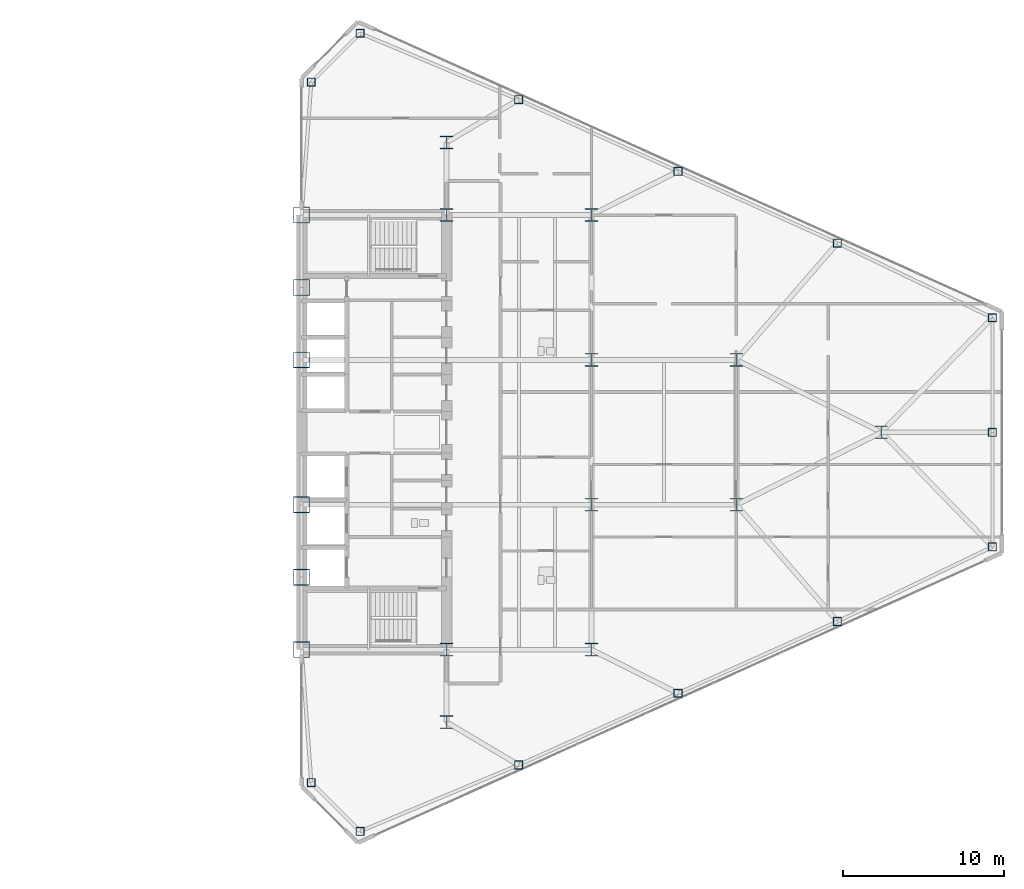
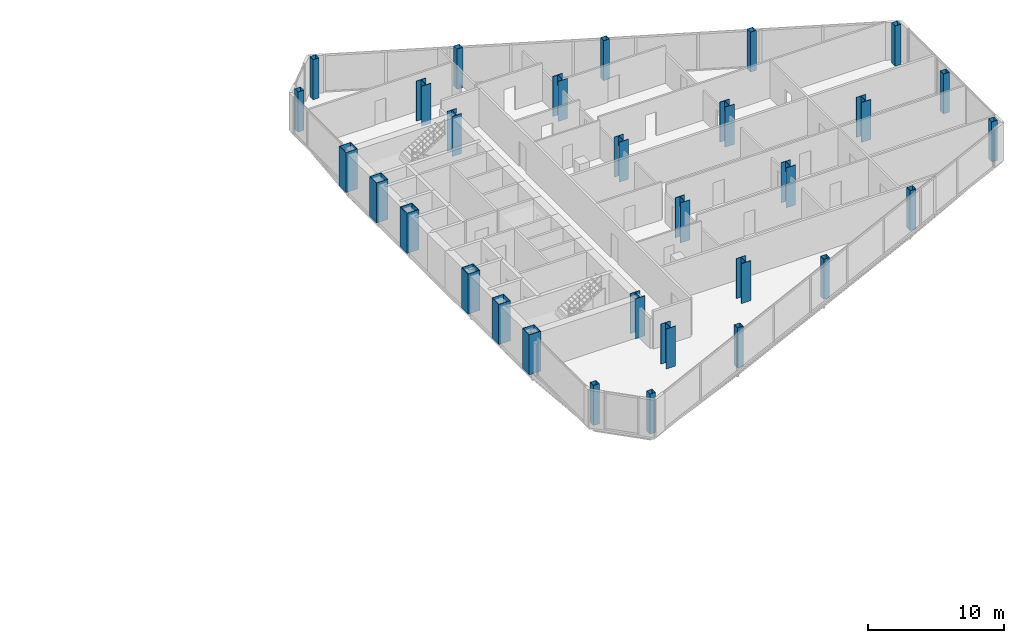
# One storey, part 2 of 27: 30 columns.
"""IFC4 building model written with IfcOpenShell, lengths in metres."""

from ifc_helpers import new_model, si_unit, direction, frame, origin, origin_2d, place, context, subcontext, project, spatial, hollow_rectangle, i_section, extrude, source, transform, mapped, material, material_profile, profile_set, type_object, type_shapes, element, save


model = new_model("IFC4")

# Units and contexts
model_context = context("Model", 3, precision=1e-05, world=origin(), true_north=direction((0.0, 1.0)))
body_context = subcontext(model_context, "Body", "Model", "MODEL_VIEW")
ifc_project = project(units=[si_unit("LENGTHUNIT", "METRE"), si_unit("AREAUNIT", "SQUARE_METRE"), si_unit("VOLUMEUNIT", "CUBIC_METRE"), si_unit("PLANEANGLEUNIT", "RADIAN"), si_unit("MASSUNIT", "GRAM", prefix="KILO")], contexts=[model_context])

# Site, building, storey
site_placement = place(None, origin())
site = spatial("IfcSite", under=ifc_project, at=site_placement, CompositionType="ELEMENT")
building_placement = place(site_placement, origin())
building = spatial("IfcBuilding", under=site, at=building_placement, Name="Seokmaru Belvedere", CompositionType="ELEMENT")
storey_placement = place(building_placement, frame((0.0, 0.0, 103.199951171875)))
storey = spatial("IfcBuildingStorey", under=building, at=storey_placement, Name="L27", CompositionType="ELEMENT", Elevation=103.199951171875)

# Columns
ifc_material_1 = material(Name="Steel SM355 (355 MPa)", Category="steel")
ifc_material_profile_1 = material_profile(ifc_material_1, hollow_rectangle(XDim=0.5, YDim=0.5, WallThickness=0.02001953125, at=origin_2d()), Name="HSS-500x500x20")
ifc_profile_set_1 = profile_set([ifc_material_profile_1], Name="Steel SM355 (355 MPa)")
column_type_1 = type_object("IfcColumnType", Name="Perimeter Facet Column HSS-500", PredefinedType="COLUMN", material=ifc_profile_set_1)
shared_shape_1 = source(origin(), body_context, "Body", "SweptSolid", [
    extrude(hollow_rectangle(XDim=0.5, YDim=0.5, WallThickness=0.02001953125, at=origin_2d()), origin(), (0.0, 0.0, 1.0), 3.60009765625),
])
type_shapes(column_type_1, [shared_shape_1])
for number, where, z_axis, x_axis, name in (
    (1, (31.13134765625, -24.782958984375, 0.0), (0.0, 0.0, 1.0), (1.0, 0.0, 0.0), "L27 Column EF1"),
    (2, (70.39990234375, -7.112060546875, 0.0), (0.0, 0.0, 1.0), (1.0, 0.0, 0.0), "L27 Column EF2"),
    (3, (70.39990234375, 7.112060546875, 0.0), (0.0, 0.0, 1.0), (1.0, 0.0, 0.0), "L27 Column EF3"),
    (4, (31.13134765625, 24.782958984375, 0.0), (0.0, 0.0, 1.0), (1.0, 0.0, 0.0), "L27 Column EF4"),
    (5, (28.10009765625, 21.75146484375, 0.0), (0.0, 0.0, 1.0), (1.0, 0.0, 0.0), "L27 Column EF5"),
    (6, (28.10009765625, -21.75146484375, 0.0), (0.0, 0.0, 1.0), (1.0, 0.0, 0.0), "L27 Column EF6"),
    (7, (40.97265625, -20.661376953125, 0.0), (0.0, 0.0, 1.0), (1.0, 0.0, 0.0), "L27 Column EFLK_S1"),
    (8, (50.875, -16.205322265625, 0.0), (0.0, 0.0, 1.0), (1.0, 0.0, 0.0), "L27 Column EFLK_S2"),
    (9, (60.777587890625, -11.749267578125, 0.0), (0.0, 0.0, 1.0), (1.0, 0.0, 0.0), "L27 Column EFLK_S3"),
    (10, (40.97265625, 20.661376953125, 0.0), (0.0, 0.0, 1.0), (1.0, 0.0, 0.0), "L27 Column EFLK_N1"),
    (11, (50.875, 16.205322265625, 0.0), (0.0, 0.0, 1.0), (1.0, 0.0, 0.0), "L27 Column EFLK_N2"),
    (12, (60.777587890625, 11.749267578125, 0.0), (0.0, 0.0, 1.0), (1.0, 0.0, 0.0), "L27 Column EFLK_N3"),
    (13, (70.39990234375, 0.0, 0.0), (0.0, 0.0, 1.0), (1.0, 0.0, 0.0), "L27 Column EF_APXM"),
):
    element("IfcColumn", number, at=place(storey_placement, frame(where, z_axis=z_axis, x_axis=x_axis)), inside=storey, type_object=column_type_1, Name=name, PredefinedType="COLUMN", context=body_context, shape_type="MappedRepresentation", body=[
        mapped(shared_shape_1, transform((0.0, 0.0, 0.0), scale=1.0)),
    ])
ifc_material_2 = material(Name="Steel HSA650 (650 MPa)", Category="steel")
ifc_material_profile_2 = material_profile(ifc_material_2, hollow_rectangle(XDim=1.0, YDim=1.0, WallThickness=0.0419921875, at=origin_2d()), Name="BOX-1000x1000x42")
ifc_profile_set_2 = profile_set([ifc_material_profile_2], Name="Steel HSA650 (650 MPa)")
column_type_2 = type_object("IfcColumnType", Name="Portal Spine Column BOX-1000", PredefinedType="COLUMN", material=ifc_profile_set_2)
shared_shape_2 = source(origin(), body_context, "Body", "SweptSolid", [
    extrude(hollow_rectangle(XDim=1.0, YDim=1.0, WallThickness=0.0419921875, at=origin_2d()), origin(), (0.0, 0.0, 1.0), 3.60009765625),
])
type_shapes(column_type_2, [shared_shape_2])
for number, where, z_axis, x_axis, name in (
    (14, (27.5, -13.5, 0.0), (0.0, 0.0, 1.0), (1.0, 0.0, 0.0), "L27 Column ES1"),
    (15, (27.5, -9.0, 0.0), (0.0, 0.0, 1.0), (1.0, 0.0, 0.0), "L27 Column ES2"),
    (16, (27.5, -4.5, 0.0), (0.0, 0.0, 1.0), (1.0, 0.0, 0.0), "L27 Column ES3"),
    (17, (27.5, 4.5, 0.0), (0.0, 0.0, 1.0), (1.0, 0.0, 0.0), "L27 Column ES4"),
    (18, (27.5, 9.0, 0.0), (0.0, 0.0, 1.0), (1.0, 0.0, 0.0), "L27 Column ES5"),
    (19, (27.5, 13.5, 0.0), (0.0, 0.0, 1.0), (1.0, 0.0, 0.0), "L27 Column ES6"),
):
    element("IfcColumn", number, at=place(storey_placement, frame(where, z_axis=z_axis, x_axis=x_axis)), inside=storey, type_object=column_type_2, Name=name, PredefinedType="COLUMN", context=body_context, shape_type="MappedRepresentation", body=[
        mapped(shared_shape_2, transform((0.0, 0.0, 0.0), scale=1.0)),
    ])
ifc_material_profile_3 = material_profile(ifc_material_1, i_section(OverallWidth=0.800048828125, OverallDepth=0.800048828125, WebThickness=0.031982421875, FlangeThickness=0.050048828125, at=origin_2d()), Name="H-800x800x32x50")
ifc_profile_set_3 = profile_set([ifc_material_profile_3], Name="Steel SM355 (355 MPa)")
column_type_3 = type_object("IfcColumnType", Name="Lower-Mid Interior Column H-800", PredefinedType="COLUMN", material=ifc_profile_set_3)
shared_shape_3 = source(origin(), body_context, "Body", "SweptSolid", [
    extrude(i_section(OverallWidth=0.800048828125, OverallDepth=0.800048828125, WebThickness=0.031982421875, FlangeThickness=0.050048828125, at=origin_2d()), origin(), (0.0, 0.0, 1.0), 3.60009765625),
])
type_shapes(column_type_3, [shared_shape_3])
for number, where, z_axis, x_axis, name in (
    (20, (36.5, -18.0, 0.0), (0.0, 0.0, 1.0), (1.0, 0.0, 0.0), "L27 Column EC1"),
    (21, (36.5, -13.5, 0.0), (0.0, 0.0, 1.0), (1.0, 0.0, 0.0), "L27 Column EC2"),
    (22, (36.5, 13.5, 0.0), (0.0, 0.0, 1.0), (1.0, 0.0, 0.0), "L27 Column EC3"),
    (23, (36.5, 18.0, 0.0), (0.0, 0.0, 1.0), (1.0, 0.0, 0.0), "L27 Column EC4"),
    (24, (45.5, -13.5, 0.0), (0.0, 0.0, 1.0), (1.0, 0.0, 0.0), "L27 Column EG5_1"),
    (25, (45.5, -4.5, 0.0), (0.0, 0.0, 1.0), (1.0, 0.0, 0.0), "L27 Column EG5_2"),
    (26, (45.5, 4.5, 0.0), (0.0, 0.0, 1.0), (1.0, 0.0, 0.0), "L27 Column EG5_3"),
    (27, (45.5, 13.5, 0.0), (0.0, 0.0, 1.0), (1.0, 0.0, 0.0), "L27 Column EG5_4"),
    (28, (54.5, -4.5, 0.0), (0.0, 0.0, 1.0), (1.0, 0.0, 0.0), "L27 Column EG4P_1"),
    (29, (54.5, 4.5, 0.0), (0.0, 0.0, 1.0), (1.0, 0.0, 0.0), "L27 Column EG4P_2"),
    (30, (63.5, 0.0, 0.0), (0.0, 0.0, 1.0), (1.0, 0.0, 0.0), "L27 Column EG3P_1"),
):
    element("IfcColumn", number, at=place(storey_placement, frame(where, z_axis=z_axis, x_axis=x_axis)), inside=storey, type_object=column_type_3, Name=name, PredefinedType="COLUMN", context=body_context, shape_type="MappedRepresentation", body=[
        mapped(shared_shape_3, transform((0.0, 0.0, 0.0), scale=1.0)),
    ])

save(model, "model.ifc")
